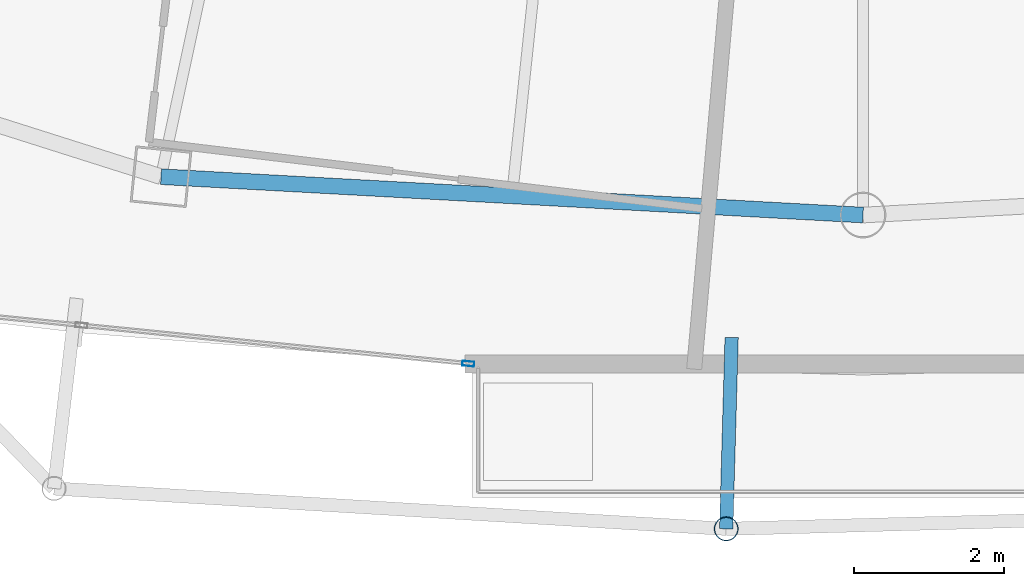
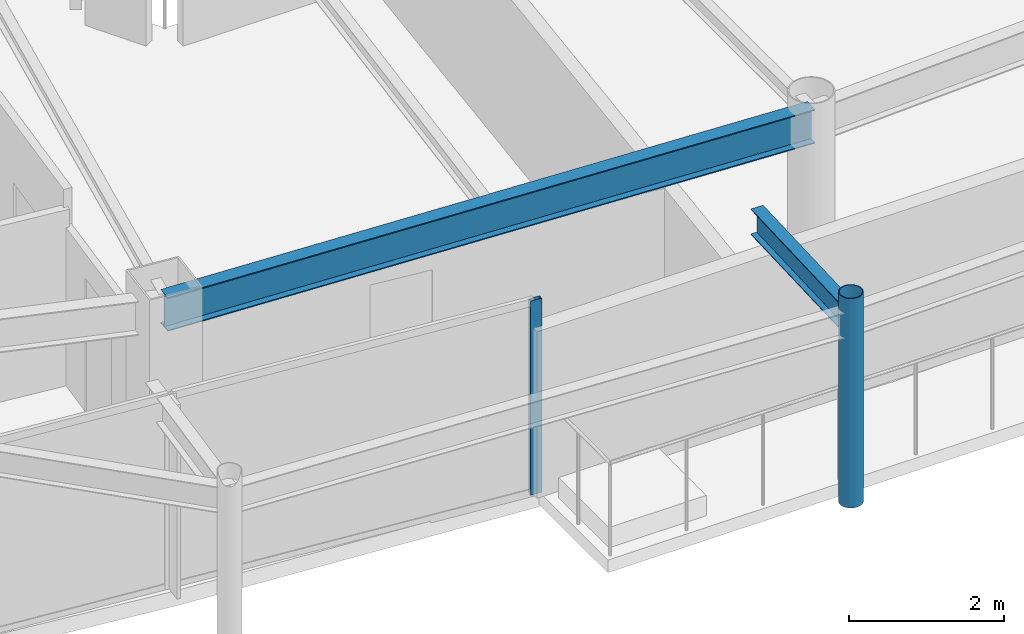
# One storey, part 7 of 32: 2 beams, 2 members, 1 element without a shape of its own.
"""IFC4 building model written with IfcOpenShell, lengths in metres."""

import ifcopenshell
import ifcopenshell.guid

model = None  # the IFC model being written
_history = None  # IfcOwnerHistory: only IFC2X3 demands one
_inside = {}  # id of a spatial element -> (the spatial element, [elements in it])
_under = {}  # id of a project, library or spatial element -> (it, [spatial elements below it])
_declared = {}  # id of a project -> (the project, [libraries it declares])
_typed = {}  # id of a type object -> (the type object, [elements of that type])
_made_of = {}  # id of a material, layer set ... -> (it, [elements and type objects made of it])


def new_model(schema):
    """Start an empty IFC model of exactly this schema.

    Asked for "IFC4X3", IfcOpenShell would pick the latest addendum, in which some entities
    have other attributes; the version numbers below select the first issue.
    IFC2X3 requires an IfcOwnerHistory on every rooted entity: one is made here for all.
    """
    global model, _history
    if schema == "IFC4X3":
        model = ifcopenshell.file(schema_version=(4, 3, 0, 0))
    else:
        model = ifcopenshell.file(schema=schema)
    _inside.clear()
    _under.clear()
    _declared.clear()
    _typed.clear()
    _made_of.clear()
    _history = None
    if model.schema == "IFC2X3":
        org = make("IfcOrganization", Name="unknown")
        user = make(
            "IfcPersonAndOrganization",
            ThePerson=make("IfcPerson", FamilyName="unknown"),
            TheOrganization=org,
        )
        app = make(
            "IfcApplication",
            ApplicationDeveloper=org,
            Version="unknown",
            ApplicationFullName="unknown",
            ApplicationIdentifier="unknown",
        )
        _history = make(
            "IfcOwnerHistory",
            OwningUser=user,
            OwningApplication=app,
            ChangeAction="ADDED",
            CreationDate=0,
        )
    return model


def make(cls, **values):
    """One entity of the class cls with the attributes given. An attribute that is None is left unset."""
    return model.create_entity(
        cls, **{name: value for name, value in values.items() if value is not None}
    )


def rooted(cls, **values):
    """An entity with a GlobalId (a new one), such as an element, a storey or a relation."""
    return make(cls, GlobalId=ifcopenshell.guid.new(), OwnerHistory=_history, **values)


def si_unit(unit_type, name, prefix=None):
    """IfcSIUnit, for example si_unit("LENGTHUNIT", "METRE", prefix="MILLI")."""
    return make("IfcSIUnit", UnitType=unit_type, Prefix=prefix, Name=name)


def assignment(units):
    """IfcUnitAssignment: the units of a project."""
    return None if units is None else make("IfcUnitAssignment", Units=units)


def point(xyz):
    """IfcCartesianPoint."""
    return None if xyz is None else make("IfcCartesianPoint", Coordinates=xyz)


def direction(xyz):
    """IfcDirection."""
    return None if xyz is None else make("IfcDirection", DirectionRatios=xyz)


def frame(location, z_axis=None, x_axis=None):
    """IfcAxis2Placement3D, a coordinate frame: its origin and axes. An axis left out is left unset."""
    return make(
        "IfcAxis2Placement3D",
        Location=point(location),
        Axis=direction(z_axis),
        RefDirection=direction(x_axis),
    )


def frame_2d(location, x_axis=None):
    """IfcAxis2Placement2D, a coordinate frame in the plane: its origin and x axis."""
    return make(
        "IfcAxis2Placement2D", Location=point(location), RefDirection=direction(x_axis)
    )


def origin():
    """The frame at (0, 0, 0) with its axes left unset."""
    return frame((0.0, 0.0, 0.0))


def origin_2d():
    """The frame at (0, 0) in the plane with its x axis left unset."""
    return frame_2d((0.0, 0.0))


def place(relative_to, where):
    """IfcLocalPlacement: puts the frame where relative to a parent placement (None: the world)."""
    return make(
        "IfcLocalPlacement", PlacementRelTo=relative_to, RelativePlacement=where
    )


def context(
    kind, dimensions, precision=None, world=None, true_north=None, identifier=None
):
    """IfcGeometricRepresentationContext, for example the 3D "Model" context."""
    return make(
        "IfcGeometricRepresentationContext",
        ContextIdentifier=identifier,
        ContextType=kind,
        CoordinateSpaceDimension=dimensions,
        Precision=precision,
        WorldCoordinateSystem=world,
        TrueNorth=true_north,
    )


def subcontext(parent, identifier, kind, view, scale=None):
    """IfcGeometricRepresentationSubContext, for example "Body" below "Model"."""
    return make(
        "IfcGeometricRepresentationSubContext",
        ContextIdentifier=identifier,
        ContextType=kind,
        ParentContext=parent,
        TargetScale=scale,
        TargetView=view,
    )


def project(units=None, contexts=None):
    """IfcProject with its units and contexts."""
    return rooted(
        "IfcProject",
        Name="project",
        RepresentationContexts=contexts,
        UnitsInContext=assignment(units),
    )


def spatial(cls, under=None, at=None, **own):
    """A site, building, storey or space (cls), placed at a placement, below another one or the project."""
    s = rooted(cls, ObjectPlacement=at, **own)
    if under is not None:
        _under.setdefault(under.id(), (under, []))[1].append(s)
    return s


def profile(cls, at=None, kind="AREA", **sizes):
    """A parametric profile (cls). Its sizes go by their IFC names, for example OverallWidth=200.0."""
    return make(cls, ProfileType=kind, Position=at, **sizes)


def hollow_rectangle(**sizes):
    """IfcRectangleHollowProfileDef."""
    return profile("IfcRectangleHollowProfileDef", **sizes)


def hollow_circle(**sizes):
    """IfcCircleHollowProfileDef."""
    return profile("IfcCircleHollowProfileDef", **sizes)


def i_section(**sizes):
    """IfcIShapeProfileDef."""
    return profile("IfcIShapeProfileDef", **sizes)


def extrude(swept, where, along, depth):
    """IfcExtrudedAreaSolid: the profile swept, set in the frame where, extruded along a direction by depth."""
    return make(
        "IfcExtrudedAreaSolid",
        SweptArea=swept,
        Position=where,
        ExtrudedDirection=direction(along),
        Depth=depth,
    )


def shape(context_of_items, identifier, shape_type, items):
    """IfcShapeRepresentation: the items that make up one representation, for example the "Body"."""
    return make(
        "IfcShapeRepresentation",
        ContextOfItems=context_of_items,
        RepresentationIdentifier=identifier,
        RepresentationType=shape_type,
        Items=items,
    )


def material(Name=None, Category=None):
    """IfcMaterial."""
    return make("IfcMaterial", Name=Name, Category=Category)


def layer(
    of_material, thickness, ventilated=None, Name=None, Category=None, Priority=None
):
    """IfcMaterialLayer: one layer of a wall or slab, of a material (None: an air gap)."""
    return make(
        "IfcMaterialLayer",
        Material=of_material,
        LayerThickness=thickness,
        IsVentilated=ventilated,
        Name=Name,
        Category=Category,
        Priority=Priority,
    )


def layer_set(layers, Name=None):
    """IfcMaterialLayerSet."""
    return make("IfcMaterialLayerSet", MaterialLayers=layers, LayerSetName=Name)


def material_profile(
    of_material, cross_section, Name=None, Category=None, Priority=None
):
    """IfcMaterialProfile: a cross section and its material."""
    return make(
        "IfcMaterialProfile",
        Name=Name,
        Material=of_material,
        Profile=cross_section,
        Priority=Priority,
        Category=Category,
    )


def profile_set(profiles, Name=None, composite=None):
    """IfcMaterialProfileSet."""
    return make(
        "IfcMaterialProfileSet",
        Name=Name,
        MaterialProfiles=profiles,
        CompositeProfile=composite,
    )


def made_of(thing, what):
    """Note that an element or type object is made of a material, layer set ...; save() writes the relation."""
    if what is not None:
        _made_of.setdefault(what.id(), (what, []))[1].append(thing)
    return thing


def type_object(cls, material=None, **own):
    """A type object (cls), such as IfcWallType, which elements share."""
    return made_of(rooted(cls, **own), material)


def element(
    cls,
    number,
    at=None,
    inside=None,
    cuts=None,
    type_object=None,
    material=None,
    context=None,
    identifier="Body",
    shape_type=None,
    held_by="IfcProductDefinitionShape",
    body=None,
    shapes=None,
    **own,
):
    """One element of the class cls, such as IfcWall. Its Tag is "e" and its number.

    at: its placement. inside: the storey or other place that contains it. cuts: it is an
    opening in that element (IfcRelVoidsElement). A single representation is given by context,
    identifier, shape_type and body (its items); several are given by shapes. held_by: the class
    of the entity that holds the representations. save() writes the other relations.
    """
    e = rooted(cls, Tag="e%d" % number, ObjectPlacement=at, **own)
    if body is not None:
        shapes = [shape(context, identifier, shape_type, body)]
    if shapes is not None:
        e.Representation = make(held_by, Representations=shapes)
    if inside is not None:
        _inside.setdefault(inside.id(), (inside, []))[1].append(e)
    if cuts is not None:
        rooted(
            "IfcRelVoidsElement", RelatingBuildingElement=cuts, RelatedOpeningElement=e
        )
    if type_object is not None:
        _typed.setdefault(type_object.id(), (type_object, []))[1].append(e)
    return made_of(e, material)


def aggregate(whole, parts):
    """IfcRelAggregates: a whole, such as a stair, and the parts it consists of."""
    return rooted("IfcRelAggregates", RelatingObject=whole, RelatedObjects=parts)


def save(model, path):
    """Write the relations noted so far, then the file.

    IfcRelAggregates (storeys below a building ...), IfcRelContainedInSpatialStructure (elements
    in a storey), IfcRelDefinesByType, IfcRelAssociatesMaterial and IfcRelDeclares: one each for
    every whole, place, type object, material and project.
    """
    for whole, parts in _under.values():
        aggregate(whole, parts)
    for where, things in _inside.values():
        rooted(
            "IfcRelContainedInSpatialStructure",
            RelatedElements=things,
            RelatingStructure=where,
        )
    for kind, things in _typed.values():
        rooted("IfcRelDefinesByType", RelatedObjects=things, RelatingType=kind)
    for what, things in _made_of.values():
        rooted("IfcRelAssociatesMaterial", RelatedObjects=things, RelatingMaterial=what)
    for by, libraries in _declared.values():
        rooted("IfcRelDeclares", RelatingContext=by, RelatedDefinitions=libraries)
    model.write(path)


model = new_model("IFC4")

# Units and contexts
model_context = context("Model", 3, precision=1e-05, world=origin(), true_north=direction((0.0, 1.0)))
body_context = subcontext(model_context, "Body", "Model", "MODEL_VIEW")
ifc_project = project(units=[si_unit("LENGTHUNIT", "METRE"), si_unit("AREAUNIT", "SQUARE_METRE"), si_unit("VOLUMEUNIT", "CUBIC_METRE"), si_unit("PLANEANGLEUNIT", "RADIAN"), si_unit("MASSUNIT", "GRAM", prefix="KILO")], contexts=[model_context])

# Site, building, storey
site_placement = place(None, origin())
site = spatial("IfcSite", under=ifc_project, at=site_placement, CompositionType="ELEMENT")
building_placement = place(site_placement, origin())
building = spatial("IfcBuilding", under=site, at=building_placement, Name="Orvanel Arch Residences", CompositionType="ELEMENT")
storey_placement = place(building_placement, frame((0.0, 0.0, 219.5)))
storey = spatial("IfcBuildingStorey", under=building, at=storey_placement, Name="L62", CompositionType="ELEMENT", Elevation=219.5)

# Curtain wall, member
ifc_material_1 = material(Name="Bronze-anodised aluminium AA6063-T6", Category="aluminium")
ifc_layer = layer(ifc_material_1, 0.175048828125)
ifc_layer_set = layer_set([ifc_layer], Name="Bronze-anodised aluminium AA6063-T6")
curtain_wall_type = type_object("IfcCurtainWallType", Name="CW4-HI-SYS", PredefinedType="NOTDEFINED", material=ifc_layer_set)
curtain_wall_placement = place(storey_placement, origin())
curtain_wall = element("IfcCurtainWall", 1, at=curtain_wall_placement, inside=storey, type_object=curtain_wall_type, Name="L62 CW4-HI-SYS Unitised Curtain Wall", PredefinedType="NOTDEFINED")
ifc_material_profile_1 = material_profile(ifc_material_1, hollow_rectangle(XDim=0.06494140625, YDim=0.159912109375, WallThickness=0.00390625, at=origin_2d()), Name="ALU160x65x4")
ifc_profile_set_1 = profile_set([ifc_material_profile_1], Name="Bronze-anodised aluminium AA6063-T6")
member_type_1 = type_object("IfcMemberType", Name="MUL-160x65", PredefinedType="MULLION", material=ifc_profile_set_1)
member_1_placement = place(storey_placement, frame((27.74169921875, 4.8642578125, 0.0), z_axis=(0.0, 0.0, 1.0), x_axis=(0.098838628636, 0.995103474765, 0.0)))
member_1 = element("IfcMember", 2, at=member_1_placement, type_object=member_type_1, Name="CW-S4 mullion 3", PredefinedType="MULLION", context=body_context, shape_type="SweptSolid", body=[
    extrude(hollow_rectangle(XDim=0.06494140625, YDim=0.159912109375, WallThickness=0.00390625, at=origin_2d()), origin(), (0.0, 0.0, 1.0), 3.06005859375),
])
aggregate(curtain_wall, [member_1])

# Beams
ifc_material_2 = material(Name="Structural steel AS/NZS 3679.1 Grade 300 (300 MPa)", Category="steel")
ifc_material_profile_2 = material_profile(ifc_material_2, i_section(OverallWidth=0.177978515625, OverallDepth=0.406005859375, WebThickness=0.0078125, FlangeThickness=0.0126953125, at=origin_2d()), Name="410UB59.7")
ifc_profile_set_2 = profile_set([ifc_material_profile_2], Name="Structural steel AS/NZS 3679.1 Grade 300 (300 MPa)")
beam_type_1 = type_object("IfcBeamType", Name="OB-410UB-EXT", PredefinedType="SPANDREL", material=ifc_profile_set_2)
beam_1_placement = place(storey_placement, frame((31.25, 5.212890625, 2.85693359375), z_axis=(-0.02824543107, -0.999601018219, 0.0), x_axis=(0.999601018219, -0.02824543107, 0.0)))
element("IfcBeam", 3, at=beam_1_placement, inside=storey, type_object=beam_type_1, Name="L62 Outer Frame Radial Tie Beam 06", PredefinedType="SPANDREL", context=body_context, shape_type="SweptSolid", body=[
    extrude(i_section(OverallWidth=0.177978515625, OverallDepth=0.406005859375, WebThickness=0.0078125, FlangeThickness=0.0126953125, at=origin_2d()), origin(), (0.0, 0.0, 1.0), 2.5498046875),
])
ifc_material_profile_3 = material_profile(ifc_material_2, i_section(OverallWidth=0.208984375, OverallDepth=0.532958984375, WebThickness=0.01025390625, FlangeThickness=0.015625, at=origin_2d()), Name="530UB92.4")
ifc_profile_set_3 = profile_set([ifc_material_profile_3], Name="Structural steel AS/NZS 3679.1 Grade 300 (300 MPa)")
beam_type_2 = type_object("IfcBeamType", Name="SP-530UB", PredefinedType="SPANDREL", material=ifc_profile_set_3)
beam_2_placement = place(storey_placement, frame((23.64892578125, 7.35498046875, 2.79296875), z_axis=(0.998510315598, -0.054563262768, 0.0), x_axis=(0.054563262768, 0.998510315598, 0.0)))
element("IfcBeam", 4, at=beam_2_placement, inside=storey, type_object=beam_type_2, Name="L62 Perimeter Spandrel Beam 03", PredefinedType="SPANDREL", context=body_context, shape_type="SweptSolid", body=[
    extrude(i_section(OverallWidth=0.208984375, OverallDepth=0.532958984375, WebThickness=0.01025390625, FlangeThickness=0.015625, at=origin_2d()), origin(), (0.0, 0.0, 1.0), 9.364990234375),
])

# Member
ifc_material_3 = material(Name="Structural steel AS/NZS 1163 C350L0 (Grade 350)", Category="steel")
ifc_material_profile_4 = material_profile(ifc_material_3, hollow_circle(Radius=0.162109375, WallThickness=0.0126953125, at=origin_2d()), Name="CHS324x12.7")
ifc_profile_set_4 = profile_set([ifc_material_profile_4], Name="Structural steel AS/NZS 1163 C350L0 (Grade 350)")
member_type_2 = type_object("IfcMemberType", Name="ST-324CHS-EXT", PredefinedType="STRUT", material=ifc_profile_set_4)
member_2_placement = place(storey_placement, frame((31.177978515625, 2.6640625, 0.0), z_axis=(0.0, 0.0, 1.0), x_axis=(1.0, 0.0, 0.0)))
element("IfcMember", 5, at=member_2_placement, inside=storey, type_object=member_type_2, Name="L62 Outer Perimeter Frame Post 06", PredefinedType="STRUT", context=body_context, shape_type="SweptSolid", body=[
    extrude(hollow_circle(Radius=0.162109375, WallThickness=0.0126953125, at=origin_2d()), origin(), (0.0, 0.0, 1.0), 3.300048828125),
])

save(model, "model.ifc")
